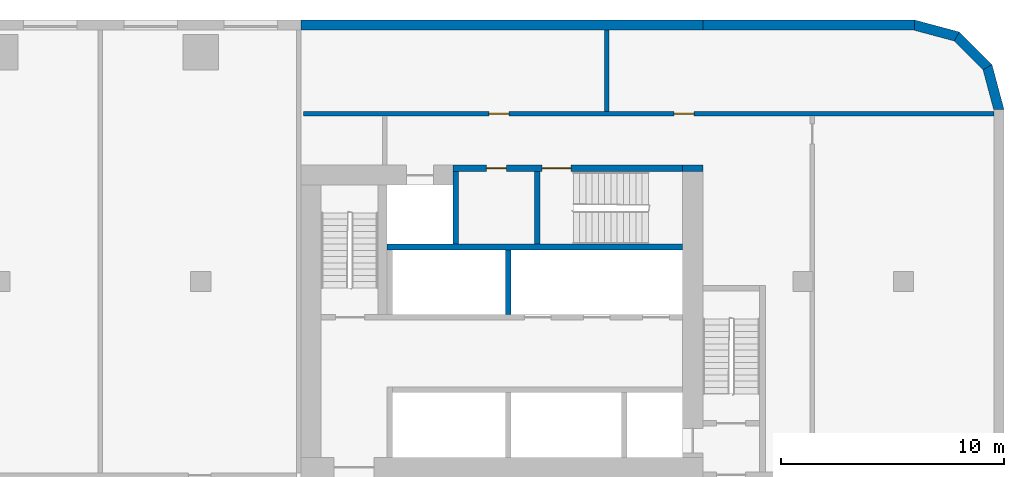
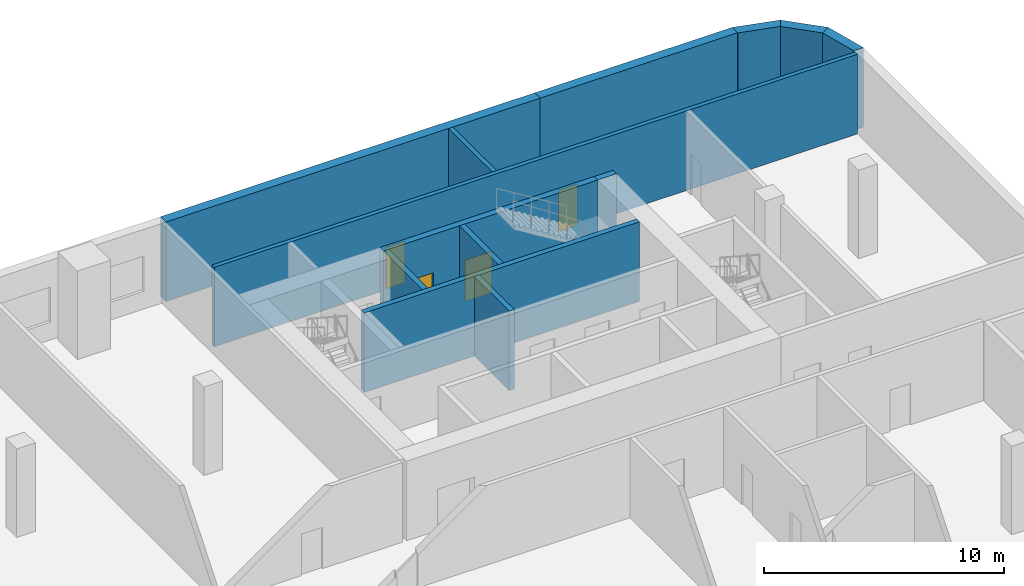
# One storey, part 7 of 15: 13 walls, 4 doors, 4 openings.
"""IFC4 building model written with IfcOpenShell, lengths in metres."""

from ifc_helpers import new_model, si_unit, direction, frame, frame_2d, origin, place, context, subcontext, project, spatial, polyline, rectangle, outline, extrude, material, layer, layer_set, type_object, element, fill, save


model = new_model("IFC4")

# Units and contexts
model_context = context("Model", 3, precision=1e-05, world=origin(), true_north=direction((0.0, 1.0)))
body_context = subcontext(model_context, "Body", "Model", "MODEL_VIEW")
ifc_project = project(units=[si_unit("LENGTHUNIT", "METRE"), si_unit("AREAUNIT", "SQUARE_METRE"), si_unit("VOLUMEUNIT", "CUBIC_METRE"), si_unit("PLANEANGLEUNIT", "RADIAN"), si_unit("MASSUNIT", "GRAM", prefix="KILO")], contexts=[model_context])

# Site, building, storey
site_placement = place(None, origin())
site = spatial("IfcSite", under=ifc_project, at=site_placement, CompositionType="ELEMENT")
building_placement = place(site_placement, origin())
building = spatial("IfcBuilding", under=site, at=building_placement, Name="Kajstack Hotel Tower", CompositionType="ELEMENT")
storey_placement = place(building_placement, frame((0.0, 0.0, 29.0)))
storey = spatial("IfcBuildingStorey", under=building, at=storey_placement, Name="L04", CompositionType="ELEMENT", Elevation=29.0)

# Walls
ifc_material_1 = material(Name="Concrete C60/75", Category="concrete")
ifc_layer_1 = layer(ifc_material_1, 0.89990234375)
ifc_layer_set_1 = layer_set([ifc_layer_1], Name="Core wall 900")
wall_type_1 = type_object("IfcWallType", Name="Core wall 900", PredefinedType="SHEAR", material=ifc_layer_set_1)
wall_1_placement = place(storey_placement, frame((30.60009765625, 15.35009765625, 0.0), z_axis=(0.0, 0.0, 1.0), x_axis=(1.0, 0.0, 0.0)))
element("IfcWall", 1, at=wall_1_placement, inside=storey, type_object=wall_type_1, Name="Core wall E RSW", PredefinedType="SHEAR", context=body_context, shape_type="SweptSolid", body=[
    extrude(rectangle(XDim=0.89990234375, YDim=0.300048828125, at=frame_2d((0.449951171875, 0.0))), origin(), (0.0, 0.0, 1.0), 4.050048828125),
])
ifc_material_2 = material(Name="Concrete C40/50", Category="concrete")
ifc_layer_2 = layer(ifc_material_2, 0.449951171875)
ifc_layer_set_2 = layer_set([ifc_layer_2], Name="EW-CORE")
wall_type_2 = type_object("IfcWallType", Name="EW-CORE", PredefinedType="SOLIDWALL", material=ifc_layer_set_2)
wall_2_placement = place(storey_placement, frame((31.5, 21.77490234375, 0.0), z_axis=(0.0, 0.0, 1.0), x_axis=(-1.0, 0.0, 0.0)))
element("IfcWall", 2, at=wall_2_placement, inside=storey, type_object=wall_type_2, Name="E-wall-L04-11-01", PredefinedType="SOLIDWALL", context=body_context, shape_type="SweptSolid", body=[
    extrude(rectangle(XDim=18.0, YDim=0.449951171875, at=frame_2d((9.0, 0.0))), origin(), (0.0, 0.0, 1.0), 4.050048828125),
])
ifc_material_3 = material(Name="Terracotta-faced brick masonry", Category="masonry")
ifc_layer_3 = layer(ifc_material_3, 0.449951171875)
ifc_layer_set_3 = layer_set([ifc_layer_3], Name="EW-TERRA")
wall_type_3 = type_object("IfcWallType", Name="EW-TERRA", PredefinedType="SOLIDWALL", material=ifc_layer_set_3)
wall_3_placement = place(storey_placement, frame((44.78271484375, 17.941650390625, 0.0), z_axis=(0.0, 0.0, 1.0), x_axis=(-0.25881466832, 0.965926999034, 0.0)))
element("IfcWall", 3, at=wall_3_placement, inside=storey, type_object=wall_type_3, Name="E-wall-L04-08-00", PredefinedType="SOLIDWALL", context=body_context, shape_type="SweptSolid", body=[
    extrude(outline(polyline([(0.000244140625, -0.22509765625), (2.070556640625, -0.224853515625), (1.9501953125, 0.22509765625), (0.12060546875, 0.22509765625), (0.000244140625, -0.22509765625)])), origin(), (0.0, 0.0, 1.0), 4.050048828125),
])
wall_4_placement = place(storey_placement, frame((44.304931640625, 19.8408203125, 0.0), z_axis=(0.0, 0.0, 1.0), x_axis=(-0.707106781187, 0.707106781187, 0.0)))
element("IfcWall", 4, at=wall_4_placement, inside=storey, type_object=wall_type_3, Name="E-wall-L04-09-00", PredefinedType="SOLIDWALL", context=body_context, shape_type="SweptSolid", body=[
    extrude(outline(polyline([(0.0, -0.22509765625), (2.070556640625, -0.22509765625), (1.949951171875, 0.224853515625), (0.12060546875, 0.224853515625), (0.0, -0.22509765625)])), origin(), (0.0, 0.0, 1.0), 4.050048828125),
])
wall_5_placement = place(storey_placement, frame((42.941650390625, 21.246826171875, 0.0), z_axis=(0.0, 0.0, 1.0), x_axis=(-0.965926999034, 0.25881466832, 0.0)))
element("IfcWall", 5, at=wall_5_placement, inside=storey, type_object=wall_type_3, Name="E-wall-L04-10-00", PredefinedType="SOLIDWALL", context=body_context, shape_type="SweptSolid", body=[
    extrude(outline(polyline([(-0.000244140625, -0.224853515625), (2.0703125, -0.22509765625), (1.949951171875, 0.22509765625), (0.120361328125, 0.22509765625), (-0.000244140625, -0.224853515625)])), origin(), (0.0, 0.0, 1.0), 4.050048828125),
])
wall_6_placement = place(storey_placement, frame((41.0, 21.77490234375, 0.0), z_axis=(0.0, 0.0, 1.0), x_axis=(-1.0, 0.0, 0.0)))
element("IfcWall", 6, at=wall_6_placement, inside=storey, type_object=wall_type_3, Name="E-wall-L04-11-00", PredefinedType="SOLIDWALL", context=body_context, shape_type="SweptSolid", body=[
    extrude(rectangle(XDim=9.5, YDim=0.449951171875, at=frame_2d((4.75, 0.0))), origin(), (0.0, 0.0, 1.0), 4.050048828125),
])
ifc_material_4 = material(Name="Concrete C50/60", Category="concrete")
ifc_layer_4 = layer(ifc_material_4, 0.300048828125)
ifc_layer_set_4 = layer_set([ifc_layer_4], Name="Hoistway divider wall 300")
wall_type_4 = type_object("IfcWallType", Name="Hoistway divider wall 300", PredefinedType="SHEAR", material=ifc_layer_set_4)
wall_7_placement = place(storey_placement, frame((22.77490234375, 8.800048828125, 0.0), z_axis=(0.0, 0.0, 1.0), x_axis=(0.0, 1.0, 0.0)))
element("IfcWall", 7, at=wall_7_placement, inside=storey, type_object=wall_type_4, Name="Core wall E BP2", PredefinedType="SHEAR", context=body_context, shape_type="SweptSolid", body=[
    extrude(rectangle(XDim=2.89990234375, YDim=0.25, at=frame_2d((1.449951171875, 0.0))), origin(), (0.0, 0.0, 1.0), 4.050048828125),
])

# Wall, openings, doors
ifc_material_5 = material(Name="Gypsum board on steel studs, mineral wool", Category="steel")
ifc_layer_5 = layer(ifc_material_5, 0.199951171875)
ifc_layer_set_5 = layer_set([ifc_layer_5], Name="Service partition 200")
wall_type_5 = type_object("IfcWallType", Name="Service partition 200", PredefinedType="PARTITIONING", material=ifc_layer_set_5)
wall_8_placement = place(storey_placement, frame((13.60009765625, 17.800048828125, 0.0), z_axis=(0.0, 0.0, 1.0), x_axis=(1.0, 0.0, 0.0)))
wall_8 = element("IfcWall", 8, at=wall_8_placement, inside=storey, type_object=wall_type_5, Name="Partition E SLN", PredefinedType="PARTITIONING", context=body_context, shape_type="SweptSolid", body=[
    extrude(rectangle(XDim=30.949951171875, YDim=0.199951171875, at=frame_2d((15.47509765625, 0.0))), origin(), (0.0, 0.0, 1.0), 4.050048828125),
])
opening_1_placement = place(wall_8_placement, frame((16.612548828125, 0.0, 0.0)))
opening_1 = element("IfcOpeningElement", 9, at=opening_1_placement, cuts=wall_8, Name="Opening 04E13", PredefinedType="OPENING", context=body_context, shape_type="SweptSolid", body=[
    extrude(rectangle(XDim=0.89990234375, YDim=2.10009765625, at=frame_2d((0.449951171875, 1.050048828125))), frame((0.0, 0.10986328125, 0.0), z_axis=(0.0, -1.0, 0.0), x_axis=(1.0, 0.0, 0.0)), (0.0, 0.0, 1.0), 0.219970703125),
])
opening_2_placement = place(wall_8_placement, frame((8.3125, 0.0, 0.0)))
opening_2 = element("IfcOpeningElement", 10, at=opening_2_placement, cuts=wall_8, Name="Opening 04E14", PredefinedType="OPENING", context=body_context, shape_type="SweptSolid", body=[
    extrude(rectangle(XDim=0.89990234375, YDim=2.10009765625, at=frame_2d((0.449951171875, 1.050048828125))), frame((0.0, 0.10986328125, 0.0), z_axis=(0.0, -1.0, 0.0), x_axis=(1.0, 0.0, 0.0)), (0.0, 0.0, 1.0), 0.219970703125),
])
ifc_material_6 = material(Name="Timber leaf, fire-rated", Category="wood")
door_type_1 = type_object("IfcDoorType", Name="Service door 900", OperationType="SINGLE_SWING_LEFT", PredefinedType="DOOR", material=ifc_material_6)
door_1_placement = place(opening_1_placement, origin())
door_1 = element("IfcDoor", 11, at=door_1_placement, inside=storey, type_object=door_type_1, Name="Door 04E13", OperationType="SINGLE_SWING_LEFT", OverallHeight=2.10009765625, OverallWidth=0.89990234375, PredefinedType="DOOR", context=body_context, shape_type="SweptSolid", body=[
    extrude(rectangle(XDim=0.89990234375, YDim=2.10009765625, at=frame_2d((0.449951171875, 1.050048828125))), frame((0.0, 0.02490234375, 0.0), z_axis=(0.0, -1.0, 0.0), x_axis=(1.0, 0.0, 0.0)), (0.0, 0.0, 1.0), 0.050048828125),
])
fill(opening_1, door_1)
door_2_placement = place(opening_2_placement, origin())
door_2 = element("IfcDoor", 12, at=door_2_placement, inside=storey, type_object=door_type_1, Name="Door 04E14", OperationType="SINGLE_SWING_LEFT", OverallHeight=2.10009765625, OverallWidth=0.89990234375, PredefinedType="DOOR", context=body_context, shape_type="SweptSolid", body=[
    extrude(rectangle(XDim=0.89990234375, YDim=2.10009765625, at=frame_2d((0.449951171875, 1.050048828125))), frame((0.0, 0.02490234375, 0.0), z_axis=(0.0, -1.0, 0.0), x_axis=(1.0, 0.0, 0.0)), (0.0, 0.0, 1.0), 0.050048828125),
])
fill(opening_2, door_2)

# Wall
wall_9_placement = place(storey_placement, frame((27.199951171875, 17.89990234375, 0.0), z_axis=(0.0, 0.0, 1.0), x_axis=(0.0, 1.0, 0.0)))
element("IfcWall", 13, at=wall_9_placement, inside=storey, type_object=wall_type_5, Name="Partition E SLP0", PredefinedType="PARTITIONING", context=body_context, shape_type="SweptSolid", body=[
    extrude(rectangle(XDim=3.650146484375, YDim=0.199951171875, at=frame_2d((1.8251953125, 0.0))), origin(), (0.0, 0.0, 1.0), 4.050048828125),
])

# Wall, openings, doors
ifc_layer_6 = layer(ifc_material_4, 0.25)
ifc_layer_set_6 = layer_set([ifc_layer_6], Name="Shaft wall 250")
wall_type_6 = type_object("IfcWallType", Name="Shaft wall 250", PredefinedType="SHEAR", material=ifc_layer_set_6)
wall_10_placement = place(storey_placement, frame((20.300048828125, 15.35009765625, 0.0), z_axis=(0.0, 0.0, 1.0), x_axis=(1.0, 0.0, 0.0)))
wall_10 = element("IfcWall", 14, at=wall_10_placement, inside=storey, type_object=wall_type_6, Name="Core wall E RSS", PredefinedType="SHEAR", context=body_context, shape_type="SweptSolid", body=[
    extrude(rectangle(XDim=10.300048828125, YDim=0.300048828125, at=frame_2d((5.14990234375, 0.0))), origin(), (0.0, 0.0, 1.0), 4.050048828125),
])
opening_3_placement = place(wall_10_placement, frame((4.0, 0.0, 0.0)))
opening_3 = element("IfcOpeningElement", 15, at=opening_3_placement, cuts=wall_10, Name="Opening 04E11", PredefinedType="OPENING", context=body_context, shape_type="SweptSolid", body=[
    extrude(rectangle(XDim=1.300048828125, YDim=2.10009765625, at=frame_2d((0.64990234375, 1.050048828125))), frame((0.0, 0.159912109375, 0.0), z_axis=(0.0, -1.0, 0.0), x_axis=(1.0, 0.0, 0.0)), (0.0, 0.0, 1.0), 0.320068359375),
])
opening_4_placement = place(wall_10_placement, frame((1.5, 0.0, 0.0)))
opening_4 = element("IfcOpeningElement", 16, at=opening_4_placement, cuts=wall_10, Name="Opening 04E12", PredefinedType="OPENING", context=body_context, shape_type="SweptSolid", body=[
    extrude(rectangle(XDim=0.89990234375, YDim=2.10009765625, at=frame_2d((0.449951171875, 1.050048828125))), frame((0.0, 0.159912109375, 0.0), z_axis=(0.0, -1.0, 0.0), x_axis=(1.0, 0.0, 0.0)), (0.0, 0.0, 1.0), 0.320068359375),
])
door_3_placement = place(opening_4_placement, origin())
door_3 = element("IfcDoor", 17, at=door_3_placement, inside=storey, type_object=door_type_1, Name="Door 04E12", OperationType="SINGLE_SWING_RIGHT", OverallHeight=2.10009765625, OverallWidth=0.89990234375, PredefinedType="DOOR", context=body_context, shape_type="SweptSolid", body=[
    extrude(rectangle(XDim=0.89990234375, YDim=2.10009765625, at=frame_2d((0.449951171875, 1.050048828125))), frame((0.0, 0.02490234375, 0.0), z_axis=(0.0, -1.0, 0.0), x_axis=(1.0, 0.0, 0.0)), (0.0, 0.0, 1.0), 0.050048828125),
])
fill(opening_4, door_3)
ifc_material_7 = material(Name="Steel leaf, fire-rated", Category="steel")
door_type_2 = type_object("IfcDoorType", Name="Stair door 1300", OperationType="SINGLE_SWING_LEFT", PredefinedType="DOOR", material=ifc_material_7)
door_4_placement = place(opening_3_placement, origin())
door_4 = element("IfcDoor", 18, at=door_4_placement, inside=storey, type_object=door_type_2, Name="Door 04E11", OperationType="SINGLE_SWING_LEFT", OverallHeight=2.10009765625, OverallWidth=1.300048828125, PredefinedType="DOOR", context=body_context, shape_type="SweptSolid", body=[
    extrude(rectangle(XDim=1.300048828125, YDim=2.10009765625, at=frame_2d((0.64990234375, 1.050048828125))), frame((0.0, 0.02490234375, 0.0), z_axis=(0.0, -1.0, 0.0), x_axis=(1.0, 0.0, 0.0)), (0.0, 0.0, 1.0), 0.050048828125),
])
fill(opening_3, door_4)

# Walls
wall_11_placement = place(storey_placement, frame((17.35009765625, 11.824951171875, 0.0), z_axis=(0.0, 0.0, 1.0), x_axis=(1.0, 0.0, 0.0)))
element("IfcWall", 19, at=wall_11_placement, inside=storey, type_object=wall_type_6, Name="Core wall E RB", PredefinedType="SHEAR", context=body_context, shape_type="SweptSolid", body=[
    extrude(rectangle(XDim=13.25, YDim=0.25, at=frame_2d((6.625, 0.0))), origin(), (0.0, 0.0, 1.0), 4.050048828125),
])
wall_12_placement = place(storey_placement, frame((20.425048828125, 11.949951171875, 0.0), z_axis=(0.0, 0.0, 1.0), x_axis=(0.0, 1.0, 0.0)))
element("IfcWall", 20, at=wall_12_placement, inside=storey, type_object=wall_type_6, Name="Core wall E SVW", PredefinedType="SHEAR", context=body_context, shape_type="SweptSolid", body=[
    extrude(rectangle(XDim=3.25, YDim=0.25, at=frame_2d((1.625, 0.0))), origin(), (0.0, 0.0, 1.0), 4.050048828125),
])
ifc_layer_7 = layer(ifc_material_4, 0.35009765625)
ifc_layer_set_7 = layer_set([ifc_layer_7], Name="Stair enclosure wall 350")
wall_type_7 = type_object("IfcWallType", Name="Stair enclosure wall 350", PredefinedType="SHEAR", material=ifc_layer_set_7)
wall_13_placement = place(storey_placement, frame((24.074951171875, 11.949951171875, 0.0), z_axis=(0.0, 0.0, 1.0), x_axis=(0.0, 1.0, 0.0)))
element("IfcWall", 21, at=wall_13_placement, inside=storey, type_object=wall_type_7, Name="Core wall E W3E", PredefinedType="SHEAR", context=body_context, shape_type="SweptSolid", body=[
    extrude(rectangle(XDim=3.25, YDim=0.25, at=frame_2d((1.625, 0.0))), origin(), (0.0, 0.0, 1.0), 4.050048828125),
])

save(model, "model.ifc")
